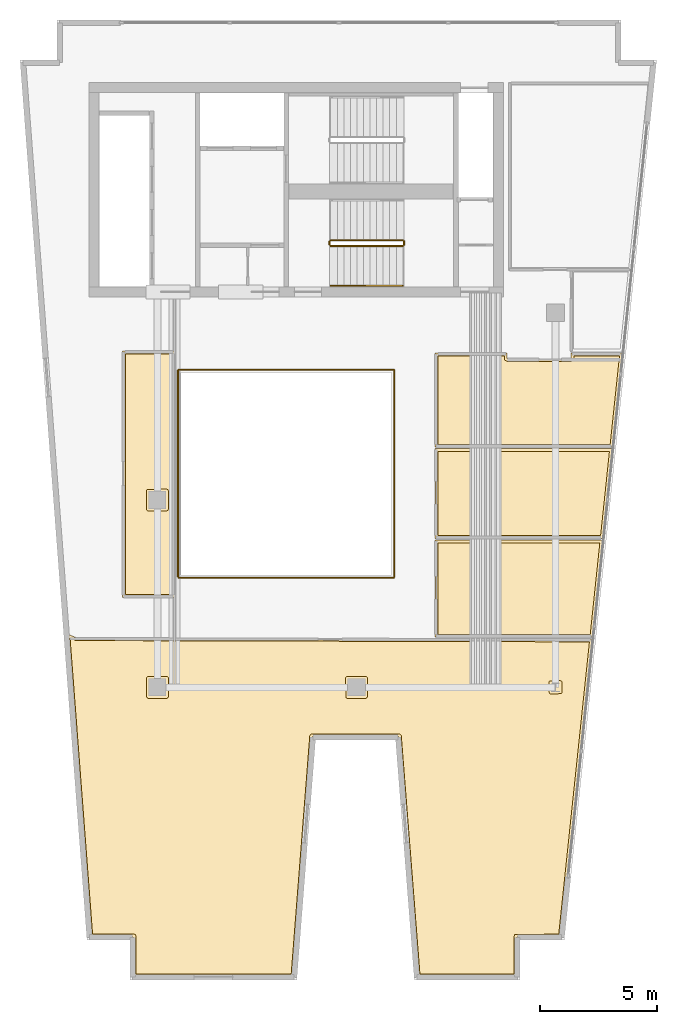
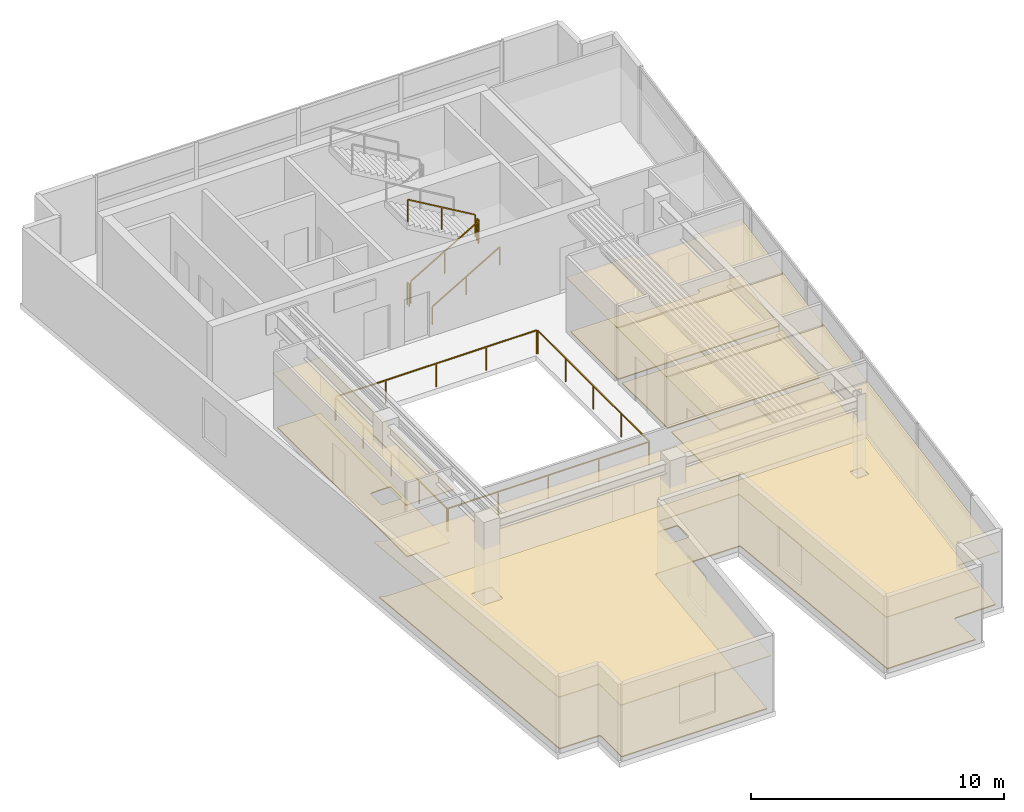
# One storey, part 5 of 6: 10 coverings, 9 railings.
"""IFC4 building model written with IfcOpenShell, lengths in metres."""

from ifc_helpers import new_model, si_unit, direction, frame, origin, origin_2d, place, context, subcontext, project, spatial, polyline, rectangle, outline, extrude, material, layer, layer_set, type_object, element, save


model = new_model("IFC4")

# Units and contexts
model_context = context("Model", 3, precision=1e-05, world=origin(), true_north=direction((0.0, 1.0)))
body_context = subcontext(model_context, "Body", "Model", "MODEL_VIEW")
ifc_project = project(units=[si_unit("LENGTHUNIT", "METRE"), si_unit("AREAUNIT", "SQUARE_METRE"), si_unit("VOLUMEUNIT", "CUBIC_METRE"), si_unit("PLANEANGLEUNIT", "RADIAN"), si_unit("MASSUNIT", "GRAM", prefix="KILO")], contexts=[model_context])

# Site, building, storey
site_placement = place(None, origin())
site = spatial("IfcSite", under=ifc_project, at=site_placement, CompositionType="ELEMENT")
building_placement = place(site_placement, origin())
building = spatial("IfcBuilding", under=site, at=building_placement, Name="Caeloran Harvest Quay", CompositionType="ELEMENT")
storey_placement = place(building_placement, frame((0.0, 0.0, 292.25)))
storey = spatial("IfcBuildingStorey", under=building, at=storey_placement, Name="L70", CompositionType="ELEMENT", Elevation=292.25)

# Coverings
ifc_material_1 = material(Name="Perforated Mineral-Fibre Acoustic Ceiling Tile", Category="ceiling")
ifc_layer_1 = layer(ifc_material_1, 0.0400390625, Name="Perforated Mineral-Fibre Acoustic Ceiling Tile")
ifc_layer_set_1 = layer_set([ifc_layer_1], Name="Perforated Mineral-Fibre Acoustic Ceiling Tile")
covering_type_1 = type_object("IfcCoveringType", Name="COV-CEILING-ACOUSTIC", PredefinedType="CEILING", material=ifc_layer_set_1)
covering_1_placement = place(storey_placement, frame((0.0, 0.0, 2.60009765625)))
element("IfcCovering", 1, at=covering_1_placement, inside=storey, type_object=covering_type_1, Name="L70 Male Washroom WC Acoustic Ceiling", PredefinedType="CEILING", context=body_context, shape_type="SweptSolid", body=[
    extrude(outline(polyline([(23.429931640625, 29.280029296875), (23.43017578125, 29.048095703125), (23.450927734375, 29.030029296875), (26.152099609375, 29.030029296875), (26.169921875, 29.048095703125), (26.169921875, 29.280029296875), (28.365478515625, 29.280029296875), (27.943359375, 25.260009765625), (20.360107421875, 25.260009765625), (20.360107421875, 29.280029296875), (23.429931640625, 29.280029296875)])), origin(), (0.0, 0.0, 1.0), 0.039794921875),
])
covering_2_placement = place(storey_placement, frame((0.0, 0.0, 2.60009765625)))
element("IfcCovering", 2, at=covering_2_placement, inside=storey, type_object=covering_type_1, Name="L70 Female Washroom WC Acoustic Ceiling", PredefinedType="CEILING", context=body_context, shape_type="SweptSolid", body=[
    extrude(outline(polyline([(27.93603515625, 25.18994140625), (27.53369140625, 21.360107421875), (20.360107421875, 21.360107421875), (20.360107421875, 25.18994140625), (27.93603515625, 25.18994140625)])), origin(), (0.0, 0.0, 1.0), 0.039794921875),
])
covering_3_placement = place(storey_placement, frame((0.0, 0.0, 2.60009765625)))
element("IfcCovering", 3, at=covering_3_placement, inside=storey, type_object=covering_type_1, Name="L70 Accessible Unisex Washroom WC Acoustic Ceiling", PredefinedType="CEILING", context=body_context, shape_type="SweptSolid", body=[
    extrude(outline(polyline([(27.5263671875, 21.2900390625), (27.090576171875, 17.139892578125), (20.360107421875, 17.139892578125), (20.360107421875, 21.2900390625), (27.5263671875, 21.2900390625)])), origin(), (0.0, 0.0, 1.0), 0.039794921875),
])
covering_4_placement = place(storey_placement, frame((0.0, 0.0, 2.60009765625)))
element("IfcCovering", 4, at=covering_4_placement, inside=storey, type_object=covering_type_1, Name="Global Agro-Holdings Conference Hall Acoustic Ceiling", PredefinedType="CEILING", context=body_context, shape_type="SweptSolid", body=[
    extrude(outline(polyline([(25.74609375, 4.340087890625), (23.853515625, 4.340087890625), (23.853515625, 2.639892578125), (19.599853515625, 2.639892578125), (18.7998046875, 12.889892578125), (15.1220703125, 12.889892578125), (14.322021484375, 2.639892578125), (7.45849609375, 2.639892578125), (7.45849609375, 4.340087890625), (5.618896484375, 4.340087890625), (4.634521484375, 17.28369140625), (5.057861328125, 17.110107421875), (27.08203125, 17.059814453125), (25.74609375, 4.340087890625)])), origin(), (0.0, 0.0, 1.0), 0.039794921875),
])
covering_5_placement = place(storey_placement, frame((0.0, 0.0, 2.60009765625)))
element("IfcCovering", 5, at=covering_5_placement, inside=storey, type_object=covering_type_1, Name="Treasury Risk Seminar Room Acoustic Ceiling", PredefinedType="CEILING", context=body_context, shape_type="SweptSolid", body=[
    extrude(outline(polyline([(7.010009765625, 18.840087890625), (7.010009765625, 29.360107421875), (9.2099609375, 29.360107421875), (9.2099609375, 18.840087890625), (7.010009765625, 18.840087890625)])), origin(), (0.0, 0.0, 1.0), 0.039794921875),
])
ifc_material_2 = material(Name="Calcium-Sulphate Raised Access Floor and Terrazzo Finish", Category="flooring")
ifc_layer_2 = layer(ifc_material_2, 0.050048828125, Name="Calcium-Sulphate Raised Access Floor and Terrazzo Finish")
ifc_layer_set_2 = layer_set([ifc_layer_2], Name="Calcium-Sulphate Raised Access Floor and Terrazzo Finish")
covering_type_2 = type_object("IfcCoveringType", Name="COV-FLOOR-RAISED", PredefinedType="FLOORING", material=ifc_layer_set_2)
covering_6_placement = place(storey_placement, origin())
element("IfcCovering", 6, at=covering_6_placement, inside=storey, type_object=covering_type_2, Name="L70 Male Washroom WC Raised Finish Flooring", PredefinedType="FLOORING", context=body_context, shape_type="SweptSolid", body=[
    extrude(outline(polyline([(23.31005859375, 29.159912109375), (23.32861328125, 28.980712890625), (23.449951171875, 28.909912109375), (26.159912109375, 28.910400390625), (26.275146484375, 28.987548828125), (26.2900390625, 29.159912109375), (28.232421875, 29.159912109375), (27.835205078125, 25.3798828125), (20.47998046875, 25.3798828125), (20.47998046875, 29.159912109375), (23.31005859375, 29.159912109375)])), origin(), (0.0, 0.0, 1.0), 0.050048828125),
])
covering_7_placement = place(storey_placement, origin())
element("IfcCovering", 7, at=covering_7_placement, inside=storey, type_object=covering_type_2, Name="L70 Female Washroom WC Raised Finish Flooring", PredefinedType="FLOORING", context=body_context, shape_type="SweptSolid", body=[
    extrude(outline(polyline([(27.802734375, 25.070068359375), (27.42578125, 21.47998046875), (20.47998046875, 21.47998046875), (20.47998046875, 25.070068359375), (27.802734375, 25.070068359375)])), origin(), (0.0, 0.0, 1.0), 0.050048828125),
])
covering_8_placement = place(storey_placement, origin())
element("IfcCovering", 8, at=covering_8_placement, inside=storey, type_object=covering_type_2, Name="L70 Accessible Unisex Washroom WC Raised Finish Flooring", PredefinedType="FLOORING", context=body_context, shape_type="SweptSolid", body=[
    extrude(outline(polyline([(27.39306640625, 21.169921875), (26.982421875, 17.260009765625), (20.47998046875, 17.260009765625), (20.47998046875, 21.169921875), (27.39306640625, 21.169921875)])), origin(), (0.0, 0.0, 1.0), 0.050048828125),
])
covering_9_placement = place(storey_placement, origin())
element("IfcCovering", 9, at=covering_9_placement, inside=storey, type_object=covering_type_2, Name="Global Agro-Holdings Conference Hall Raised Finish Flooring", PredefinedType="FLOORING", context=body_context, shape_type="SweptSolid", body=[
    extrude(outline(polyline([(5.01953125, 16.99609375), (26.94873046875, 16.940185546875), (25.637939453125, 4.4599609375), (23.7626953125, 4.44189453125), (23.7333984375, 4.3798828125), (23.7333984375, 2.760009765625), (19.710693359375, 2.760009765625), (18.9111328125, 12.95947265625), (18.836669921875, 13.010009765625), (15.0771484375, 13.009521484375), (15.005126953125, 12.936279296875), (14.2109375, 2.760009765625), (7.57861328125, 2.760009765625), (7.57861328125, 4.3798828125), (7.55517578125, 4.4365234375), (7.49853515625, 4.4599609375), (5.730224609375, 4.4599609375), (4.768798828125, 17.098876953125), (5.01953125, 16.99609375)]), holes=[polyline([(25.21630859375, 15.21630859375), (25.234130859375, 14.74072265625), (25.2880859375, 14.7119140625), (25.7548828125, 14.729736328125), (25.783935546875, 14.79150390625), (25.765869140625, 15.25927734375), (25.7041015625, 15.28857421875), (25.2451171875, 15.270263671875), (25.21630859375, 15.21630859375)]), polyline([(16.530029296875, 15.389892578125), (16.548095703125, 14.55908203125), (16.602294921875, 14.530517578125), (17.389892578125, 14.530029296875), (17.446533203125, 14.553466796875), (17.469970703125, 14.610107421875), (17.469970703125, 15.389892578125), (17.446533203125, 15.446533203125), (17.389892578125, 15.469970703125), (16.610107421875, 15.469970703125), (16.553466796875, 15.446533203125), (16.530029296875, 15.389892578125)]), polyline([(8.030029296875, 14.610107421875), (8.053466796875, 14.553466796875), (8.102294921875, 14.530517578125), (8.889892578125, 14.530029296875), (8.946533203125, 14.553466796875), (8.969970703125, 14.610107421875), (8.969970703125, 15.389892578125), (8.946533203125, 15.446533203125), (8.889892578125, 15.469970703125), (8.110107421875, 15.469970703125), (8.053466796875, 15.446533203125), (8.030029296875, 15.389892578125), (8.030029296875, 14.610107421875)])]), origin(), (0.0, 0.0, 1.0), 0.050048828125),
])
covering_10_placement = place(storey_placement, origin())
element("IfcCovering", 10, at=covering_10_placement, inside=storey, type_object=covering_type_2, Name="Treasury Risk Seminar Room Raised Finish Flooring", PredefinedType="FLOORING", context=body_context, shape_type="SweptSolid", body=[
    extrude(outline(polyline([(9.090087890625, 18.9599609375), (7.1298828125, 18.9599609375), (7.1298828125, 29.239990234375), (9.090087890625, 29.239990234375), (9.090087890625, 18.9599609375)]), holes=[polyline([(8.889892578125, 23.469970703125), (8.05908203125, 23.451904296875), (8.030517578125, 23.397705078125), (8.030029296875, 22.610107421875), (8.053466796875, 22.553466796875), (8.110107421875, 22.530029296875), (8.889892578125, 22.530029296875), (8.946533203125, 22.553466796875), (8.969970703125, 22.610107421875), (8.969970703125, 23.389892578125), (8.946533203125, 23.446533203125), (8.889892578125, 23.469970703125)])]), origin(), (0.0, 0.0, 1.0), 0.050048828125),
])

# Railings
ifc_material_3 = material(Name="Powder-Coated Steel Post and Laminated Glass Guardrail", Category="steel")
ifc_layer_3 = layer(ifc_material_3, 0.06005859375, Name="Powder-Coated Steel Post and Laminated Glass Guardrail")
ifc_layer_set_3 = layer_set([ifc_layer_3], Name="Powder-Coated Steel Post and Laminated Glass Guardrail")
railing_type_1 = type_object("IfcRailingType", Name="GUARD-ATRIUM-1150", PredefinedType="GUARDRAIL", material=ifc_layer_set_3)
railing_1_placement = place(storey_placement, frame((9.412109375, 19.679931640625, 0.0)))
element("IfcRailing", 11, at=railing_1_placement, inside=storey, type_object=railing_type_1, Name="L70 Skylit Atrium Void Perimeter Guardrail Seg 1", PredefinedType="GUARDRAIL", context=body_context, shape_type="SweptSolid", body=[
    extrude(rectangle(XDim=0.048095703125, YDim=0.048095703125, at=origin_2d()), frame((0.0, 0.0, 1.1259765625), z_axis=(1.0, 0.0, 0.0), x_axis=(0.0, 1.0, 0.0)), (0.0, 0.0, 1.0), 9.17578125),
    extrude(rectangle(XDim=0.0419921875, YDim=0.0419921875, at=origin_2d()), origin(), (0.0, 0.0, 1.0), 1.101806640625),
    extrude(rectangle(XDim=0.0419921875, YDim=0.0419921875, at=origin_2d()), frame((2.2939453125, 0.0, 0.0)), (0.0, 0.0, 1.0), 1.101806640625),
    extrude(rectangle(XDim=0.0419921875, YDim=0.0419921875, at=origin_2d()), frame((4.587890625, 0.0, 0.0)), (0.0, 0.0, 1.0), 1.101806640625),
    extrude(rectangle(XDim=0.0419921875, YDim=0.0419921875, at=origin_2d()), frame((6.8818359375, 0.0, 0.0)), (0.0, 0.0, 1.0), 1.101806640625),
    extrude(rectangle(XDim=0.0419921875, YDim=0.0419921875, at=origin_2d()), frame((9.17578125, 0.0, 0.0)), (0.0, 0.0, 1.0), 1.101806640625),
])
railing_2_placement = place(storey_placement, frame((18.6201171875, 19.7119140625, 0.0)))
element("IfcRailing", 12, at=railing_2_placement, inside=storey, type_object=railing_type_1, Name="L70 Skylit Atrium Void Perimeter Guardrail Seg 2", PredefinedType="GUARDRAIL", context=body_context, shape_type="SweptSolid", body=[
    extrude(rectangle(XDim=0.048095703125, YDim=0.048095703125, at=origin_2d()), frame((0.0, 0.0, 1.1259765625), z_axis=(0.0, 1.0, 0.0), x_axis=(-1.0, 0.0, 0.0)), (0.0, 0.0, 1.0), 8.826171875),
    extrude(rectangle(XDim=0.0419921875, YDim=0.0419921875, at=origin_2d()), origin(), (0.0, 0.0, 1.0), 1.101806640625),
    extrude(rectangle(XDim=0.0419921875, YDim=0.0419921875, at=origin_2d()), frame((0.0, 2.20654296875, 0.0)), (0.0, 0.0, 1.0), 1.101806640625),
    extrude(rectangle(XDim=0.0419921875, YDim=0.0419921875, at=origin_2d()), frame((0.0, 4.4130859375, 0.0)), (0.0, 0.0, 1.0), 1.101806640625),
    extrude(rectangle(XDim=0.0419921875, YDim=0.0419921875, at=origin_2d()), frame((0.0, 6.61962890625, 0.0)), (0.0, 0.0, 1.0), 1.101806640625),
    extrude(rectangle(XDim=0.0419921875, YDim=0.0419921875, at=origin_2d()), frame((0.0, 8.826171875, 0.0)), (0.0, 0.0, 1.0), 1.101806640625),
])
railing_3_placement = place(storey_placement, frame((18.587890625, 28.570068359375, 0.0)))
element("IfcRailing", 13, at=railing_3_placement, inside=storey, type_object=railing_type_1, Name="L70 Skylit Atrium Void Perimeter Guardrail Seg 3", PredefinedType="GUARDRAIL", context=body_context, shape_type="SweptSolid", body=[
    extrude(rectangle(XDim=0.048095703125, YDim=0.048095703125, at=origin_2d()), frame((0.0, 0.0, 1.1259765625), z_axis=(-1.0, 0.0, 0.0), x_axis=(0.0, -1.0, 0.0)), (0.0, 0.0, 1.0), 9.17578125),
    extrude(rectangle(XDim=0.0419921875, YDim=0.0419921875, at=origin_2d()), origin(), (0.0, 0.0, 1.0), 1.101806640625),
    extrude(rectangle(XDim=0.0419921875, YDim=0.0419921875, at=origin_2d()), frame((-2.2939453125, 0.0, 0.0)), (0.0, 0.0, 1.0), 1.101806640625),
    extrude(rectangle(XDim=0.0419921875, YDim=0.0419921875, at=origin_2d()), frame((-4.587890625, 0.0, 0.0)), (0.0, 0.0, 1.0), 1.101806640625),
    extrude(rectangle(XDim=0.0419921875, YDim=0.0419921875, at=origin_2d()), frame((-6.8818359375, 0.0, 0.0)), (0.0, 0.0, 1.0), 1.101806640625),
    extrude(rectangle(XDim=0.0419921875, YDim=0.0419921875, at=origin_2d()), frame((-9.17578125, 0.0, 0.0)), (0.0, 0.0, 1.0), 1.101806640625),
])
railing_4_placement = place(storey_placement, frame((9.3798828125, 28.5380859375, 0.0)))
element("IfcRailing", 14, at=railing_4_placement, inside=storey, type_object=railing_type_1, Name="L70 Skylit Atrium Void Perimeter Guardrail Seg 4", PredefinedType="GUARDRAIL", context=body_context, shape_type="SweptSolid", body=[
    extrude(rectangle(XDim=0.048095703125, YDim=0.048095703125, at=origin_2d()), frame((0.0, 0.0, 1.1259765625), z_axis=(0.0, -1.0, 0.0), x_axis=(1.0, 0.0, 0.0)), (0.0, 0.0, 1.0), 8.826171875),
    extrude(rectangle(XDim=0.0419921875, YDim=0.0419921875, at=origin_2d()), origin(), (0.0, 0.0, 1.0), 1.101806640625),
    extrude(rectangle(XDim=0.0419921875, YDim=0.0419921875, at=origin_2d()), frame((0.0, -2.20654296875, 0.0)), (0.0, 0.0, 1.0), 1.101806640625),
    extrude(rectangle(XDim=0.0419921875, YDim=0.0419921875, at=origin_2d()), frame((0.0, -4.4130859375, 0.0)), (0.0, 0.0, 1.0), 1.101806640625),
    extrude(rectangle(XDim=0.0419921875, YDim=0.0419921875, at=origin_2d()), frame((0.0, -6.61962890625, 0.0)), (0.0, 0.0, 1.0), 1.101806640625),
    extrude(rectangle(XDim=0.0419921875, YDim=0.0419921875, at=origin_2d()), frame((0.0, -8.826171875, 0.0)), (0.0, 0.0, 1.0), 1.101806640625),
])
ifc_material_4 = material(Name="Painted Steel Baluster and Top-Rail Stair Guard", Category="steel")
ifc_layer_4 = layer(ifc_material_4, 0.050048828125, Name="Painted Steel Baluster and Top-Rail Stair Guard")
ifc_layer_set_4 = layer_set([ifc_layer_4], Name="Painted Steel Baluster and Top-Rail Stair Guard")
railing_type_2 = type_object("IfcRailingType", Name="STAIR-GUARD-1100", PredefinedType="GUARDRAIL", material=ifc_layer_set_4)
railing_5_placement = place(storey_placement, frame((15.89990234375, 33.85009765625, 0.16455078125)))
element("IfcRailing", 15, at=railing_5_placement, inside=storey, type_object=railing_type_2, Name="L70 ST-C2 stair guard 1", PredefinedType="GUARDRAIL", context=body_context, shape_type="SweptSolid", body=[
    extrude(rectangle(XDim=0.048095703125, YDim=0.048095703125, at=origin_2d()), frame((0.0, 0.0, 1.076171875), z_axis=(0.862088758681, 0.0, 0.506757310905), x_axis=(0.0, 1.0, 0.0)), (0.0, 0.0, 1.0), 3.57275390625),
    extrude(rectangle(XDim=0.0419921875, YDim=0.0419921875, at=origin_2d()), origin(), (0.0, 0.0, 1.0), 1.052001953125),
    extrude(rectangle(XDim=0.0419921875, YDim=0.0419921875, at=origin_2d()), frame((1.5400390625, 0.0, 0.9052734375)), (0.0, 0.0, 1.0), 1.052001953125),
    extrude(rectangle(XDim=0.0419921875, YDim=0.0419921875, at=origin_2d()), frame((3.080078125, 0.0, 1.810546875)), (0.0, 0.0, 1.0), 1.052001953125),
])
railing_6_placement = place(storey_placement, frame((19.030029296875, 33.89990234375, 1.97509765625)))
element("IfcRailing", 16, at=railing_6_placement, inside=storey, type_object=railing_type_2, Name="L70 ST-C2 stair guard 2", PredefinedType="GUARDRAIL", context=body_context, shape_type="SweptSolid", body=[
    extrude(rectangle(XDim=0.048095703125, YDim=0.048095703125, at=origin_2d()), frame((0.0, 0.0, 1.076171875), z_axis=(0.0, 1.0, 0.0), x_axis=(-1.0, 0.0, 0.0)), (0.0, 0.0, 1.0), 0.150146484375),
    extrude(rectangle(XDim=0.0419921875, YDim=0.0419921875, at=origin_2d()), origin(), (0.0, 0.0, 1.0), 1.052001953125),
    extrude(rectangle(XDim=0.0419921875, YDim=0.0419921875, at=origin_2d()), frame((0.0, 0.150146484375, 0.0)), (0.0, 0.0, 1.0), 1.052001953125),
])
railing_7_placement = place(storey_placement, frame((18.97998046875, 34.10009765625, 2.1396484375)))
element("IfcRailing", 17, at=railing_7_placement, inside=storey, type_object=railing_type_2, Name="L70 ST-C2 stair guard 3", PredefinedType="GUARDRAIL", context=body_context, shape_type="SweptSolid", body=[
    extrude(rectangle(XDim=0.048095703125, YDim=0.048095703125, at=origin_2d()), frame((0.0, 0.0, 1.076171875), z_axis=(-0.862118610829, 0.0, 0.506706523406), x_axis=(0.0, -1.0, 0.0)), (0.0, 0.0, 1.0), 3.57275390625),
    extrude(rectangle(XDim=0.0419921875, YDim=0.0419921875, at=origin_2d()), origin(), (0.0, 0.0, 1.0), 1.052001953125),
    extrude(rectangle(XDim=0.0419921875, YDim=0.0419921875, at=origin_2d()), frame((-1.5400390625, 0.0, 0.9052734375)), (0.0, 0.0, 1.0), 1.052001953125),
    extrude(rectangle(XDim=0.0419921875, YDim=0.0419921875, at=origin_2d()), frame((-3.080078125, 0.0, 1.810302734375)), (0.0, 0.0, 1.0), 1.052001953125),
])
railing_8_placement = place(storey_placement, frame((15.85009765625, 33.89990234375, 0.0)))
element("IfcRailing", 18, at=railing_8_placement, inside=storey, type_object=railing_type_2, Name="L70 ST-C2 stair guard 4", PredefinedType="GUARDRAIL", context=body_context, shape_type="SweptSolid", body=[
    extrude(rectangle(XDim=0.048095703125, YDim=0.048095703125, at=origin_2d()), frame((0.0, 0.0, 1.076171875), z_axis=(0.0, 1.0, 0.0), x_axis=(-1.0, 0.0, 0.0)), (0.0, 0.0, 1.0), 0.150146484375),
    extrude(rectangle(XDim=0.0419921875, YDim=0.0419921875, at=origin_2d()), origin(), (0.0, 0.0, 1.0), 1.052001953125),
    extrude(rectangle(XDim=0.0419921875, YDim=0.0419921875, at=origin_2d()), frame((0.0, 0.150146484375, 0.0)), (0.0, 0.0, 1.0), 1.052001953125),
])
ifc_material_5 = material(Name="Brushed Stainless Steel Grade 304", Category="steel")
ifc_layer_5 = layer(ifc_material_5, 0.050048828125, Name="Brushed Stainless Steel Grade 304")
ifc_layer_set_5 = layer_set([ifc_layer_5], Name="Brushed Stainless Steel Grade 304")
railing_type_3 = type_object("IfcRailingType", Name="STAIR-HANDRAIL-900", PredefinedType="HANDRAIL", material=ifc_layer_set_5)
railing_9_placement = place(storey_placement, frame((15.89990234375, 32.14990234375, 0.16455078125)))
element("IfcRailing", 19, at=railing_9_placement, inside=storey, type_object=railing_type_3, Name="L70 ST-C2 stair handrail 1", PredefinedType="HANDRAIL", context=body_context, shape_type="SweptSolid", body=[
    extrude(rectangle(XDim=0.048095703125, YDim=0.048095703125, at=origin_2d()), frame((0.0, 0.0, 0.8759765625), z_axis=(0.862088758681, 0.0, 0.506757310905), x_axis=(0.0, 1.0, 0.0)), (0.0, 0.0, 1.0), 3.57275390625),
    extrude(rectangle(XDim=0.0419921875, YDim=0.0419921875, at=origin_2d()), origin(), (0.0, 0.0, 1.0), 0.851806640625),
    extrude(rectangle(XDim=0.0419921875, YDim=0.0419921875, at=origin_2d()), frame((1.5400390625, 0.0, 0.9052734375)), (0.0, 0.0, 1.0), 0.851806640625),
    extrude(rectangle(XDim=0.0419921875, YDim=0.0419921875, at=origin_2d()), frame((3.080078125, 0.0, 1.810546875)), (0.0, 0.0, 1.0), 0.851806640625),
])

save(model, "model.ifc")
